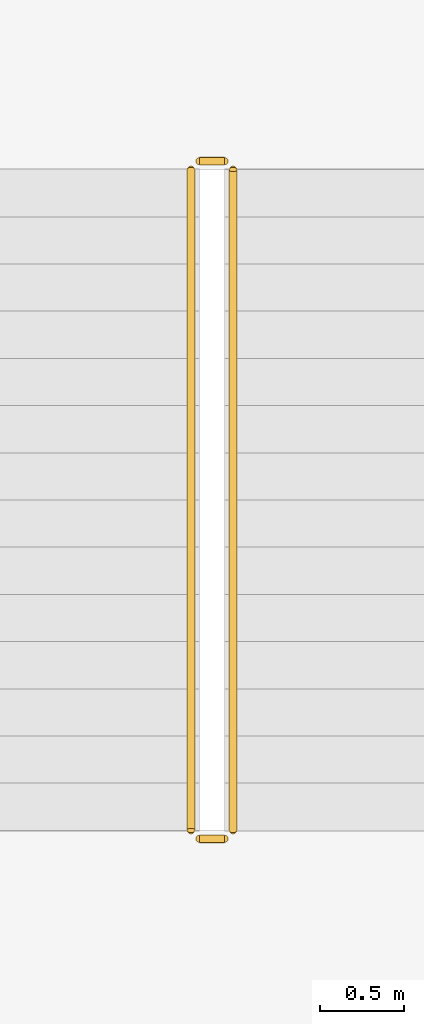
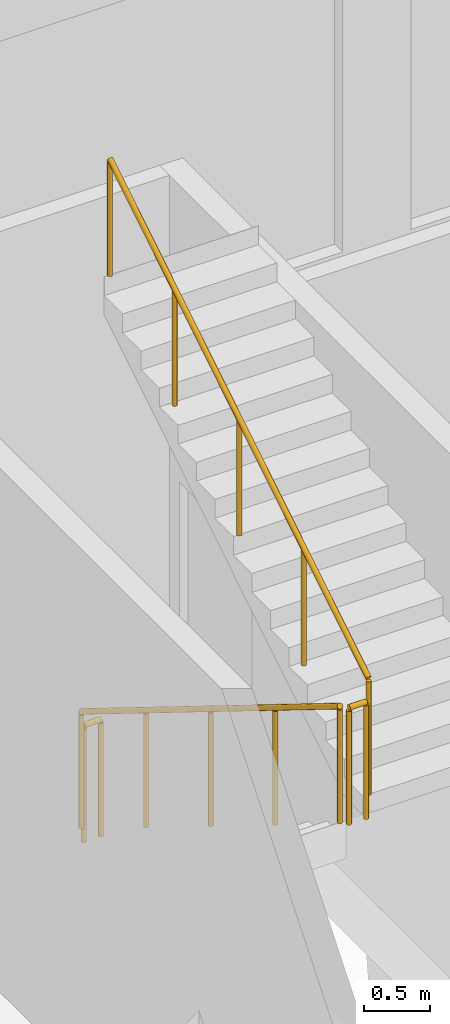
# One storey, part 21 of 21: 4 railings.
"""IFC4 building model written with IfcOpenShell, lengths in metres."""

from ifc_helpers import new_model, si_unit, direction, frame, origin, origin_2d, place, context, subcontext, project, spatial, circle, extrude, material, type_object, element, save


model = new_model("IFC4")

# Units and contexts
model_context = context("Model", 3, precision=1e-05, world=origin(), true_north=direction((0.0, 1.0)))
body_context = subcontext(model_context, "Body", "Model", "MODEL_VIEW")
ifc_project = project(units=[si_unit("LENGTHUNIT", "METRE"), si_unit("AREAUNIT", "SQUARE_METRE"), si_unit("VOLUMEUNIT", "CUBIC_METRE"), si_unit("PLANEANGLEUNIT", "RADIAN"), si_unit("MASSUNIT", "GRAM", prefix="KILO")], contexts=[model_context])

# Site, building, storey
site_placement = place(None, origin())
site = spatial("IfcSite", under=ifc_project, at=site_placement, CompositionType="ELEMENT")
building_placement = place(site_placement, origin())
building = spatial("IfcBuilding", under=site, at=building_placement, Name="Kawkab Arch Medical Tower", CompositionType="ELEMENT")
storey_placement = place(building_placement, frame((0.0, 0.0, 23.800048828125)))
storey = spatial("IfcBuildingStorey", under=building, at=storey_placement, Name="L05", CompositionType="ELEMENT", Elevation=23.800048828125)

# Railings
ifc_material = material(Name="Stainless steel", Category="steel")
railing_type = type_object("IfcRailingType", Name="Stair guard 1100", PredefinedType="GUARDRAIL", material=ifc_material)
railing_1_placement = place(storey_placement, frame((78.699951171875, -1.800048828125, 0.17333984375)))
element("IfcRailing", 1, at=railing_1_placement, inside=storey, type_object=railing_type, Name="L05 ST7 stair guard 1", PredefinedType="GUARDRAIL", context=body_context, shape_type="SweptSolid", body=[
    extrude(circle(Radius=0.02392578125, at=origin_2d()), frame((0.0, 0.0, 1.076171875), z_axis=(0.0, -0.850275303828, 0.526338206574), x_axis=(1.0, 0.0, 0.0)), (0.0, 0.0, 1.0), 4.610107421875),
    extrude(circle(Radius=0.02099609375, at=origin_2d()), origin(), (0.0, 0.0, 1.0), 1.052001953125),
    extrude(circle(Radius=0.02099609375, at=origin_2d()), frame((0.0, -0.97998046875, 0.606689453125)), (0.0, 0.0, 1.0), 1.052001953125),
    extrude(circle(Radius=0.02099609375, at=origin_2d()), frame((0.0, -1.9599609375, 1.21337890625)), (0.0, 0.0, 1.0), 1.052001953125),
    extrude(circle(Radius=0.02099609375, at=origin_2d()), frame((0.0, -2.93994140625, 1.81982421875)), (0.0, 0.0, 1.0), 1.052001953125),
    extrude(circle(Radius=0.02099609375, at=origin_2d()), frame((0.0, -3.919921875, 2.426513671875)), (0.0, 0.0, 1.0), 1.052001953125),
])
railing_2_placement = place(storey_placement, frame((78.75, -5.77001953125, 2.599853515625)))
element("IfcRailing", 2, at=railing_2_placement, inside=storey, type_object=railing_type, Name="L05 ST7 stair guard 2", PredefinedType="GUARDRAIL", context=body_context, shape_type="SweptSolid", body=[
    extrude(circle(Radius=0.02392578125, at=origin_2d()), frame((0.0, 0.0, 1.076171875), z_axis=(1.0, 0.0, 0.0), x_axis=(0.0, 1.0, 0.0)), (0.0, 0.0, 1.0), 0.14990234375),
    extrude(circle(Radius=0.02099609375, at=origin_2d()), origin(), (0.0, 0.0, 1.0), 1.052001953125),
    extrude(circle(Radius=0.02099609375, at=origin_2d()), frame((0.14990234375, 0.0, 0.0)), (0.0, 0.0, 1.0), 1.052001953125),
])
railing_3_placement = place(storey_placement, frame((78.949951171875, -5.719970703125, 2.773193359375)))
element("IfcRailing", 3, at=railing_3_placement, inside=storey, type_object=railing_type, Name="L05 ST7 stair guard 3", PredefinedType="GUARDRAIL", context=body_context, shape_type="SweptSolid", body=[
    extrude(circle(Radius=0.02392578125, at=origin_2d()), frame((0.0, 0.0, 1.076171875), z_axis=(0.0, 0.850251603719, 0.526376491091), x_axis=(-1.0, 0.0, 0.0)), (0.0, 0.0, 1.0), 4.6103515625),
    extrude(circle(Radius=0.02099609375, at=origin_2d()), origin(), (0.0, 0.0, 1.0), 1.052001953125),
    extrude(circle(Radius=0.02099609375, at=origin_2d()), frame((0.0, 0.97998046875, 0.606689453125)), (0.0, 0.0, 1.0), 1.052001953125),
    extrude(circle(Radius=0.02099609375, at=origin_2d()), frame((0.0, 1.9599609375, 1.21337890625)), (0.0, 0.0, 1.0), 1.052001953125),
    extrude(circle(Radius=0.02099609375, at=origin_2d()), frame((0.0, 2.93994140625, 1.820068359375)), (0.0, 0.0, 1.0), 1.052001953125),
    extrude(circle(Radius=0.02099609375, at=origin_2d()), frame((0.0, 3.919921875, 2.4267578125)), (0.0, 0.0, 1.0), 1.052001953125),
])
railing_4_placement = place(storey_placement, frame((78.75, -1.75, 0.0)))
element("IfcRailing", 4, at=railing_4_placement, inside=storey, type_object=railing_type, Name="L05 ST7 stair guard 4", PredefinedType="GUARDRAIL", context=body_context, shape_type="SweptSolid", body=[
    extrude(circle(Radius=0.02392578125, at=origin_2d()), frame((0.0, 0.0, 1.076171875), z_axis=(1.0, 0.0, 0.0), x_axis=(0.0, 1.0, 0.0)), (0.0, 0.0, 1.0), 0.14990234375),
    extrude(circle(Radius=0.02099609375, at=origin_2d()), origin(), (0.0, 0.0, 1.0), 1.052001953125),
    extrude(circle(Radius=0.02099609375, at=origin_2d()), frame((0.14990234375, 0.0, 0.0)), (0.0, 0.0, 1.0), 1.052001953125),
])

save(model, "model.ifc")
